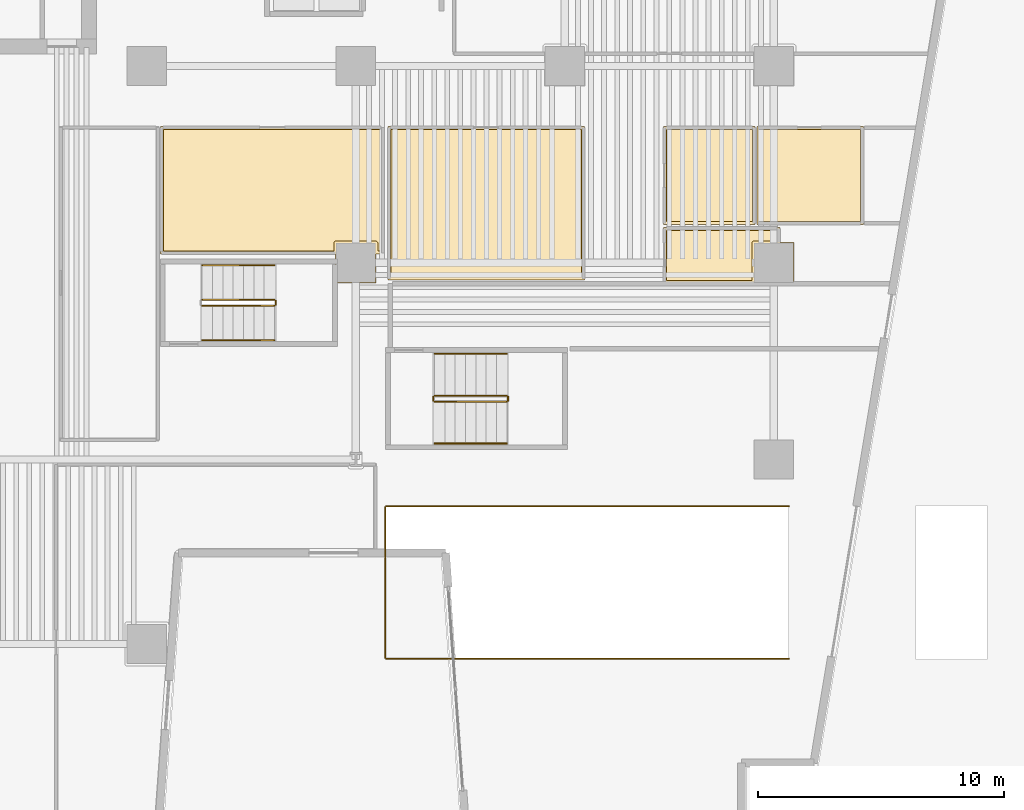
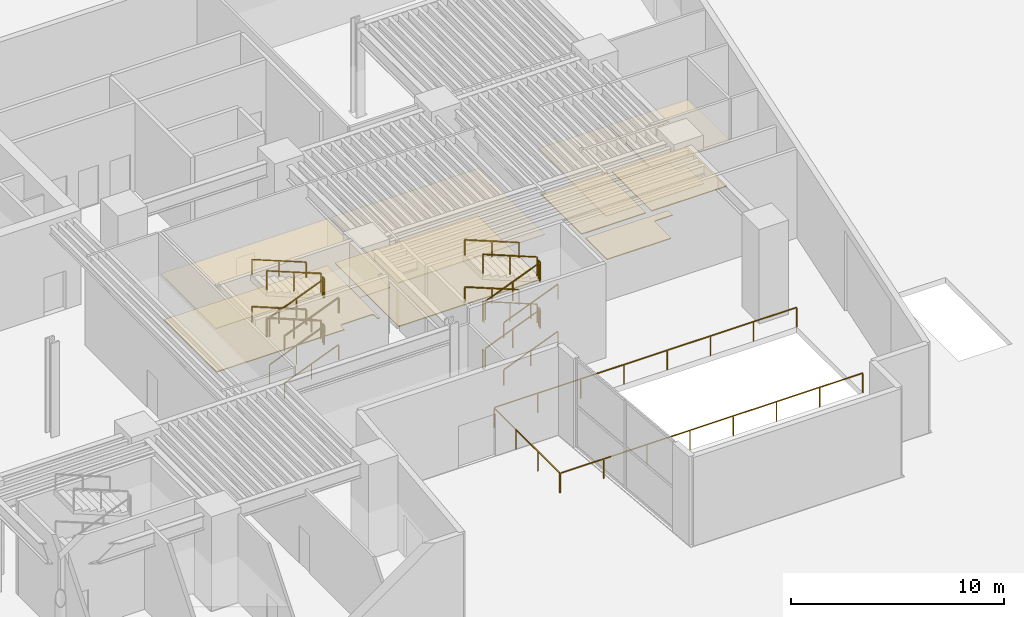
# One storey, part 15 of 18: 25 railings, 10 coverings.
"""IFC4 building model written with IfcOpenShell, lengths in metres."""

from ifc_helpers import new_model, si_unit, direction, frame, origin, origin_2d, place, context, subcontext, project, spatial, polyline, rectangle, outline, extrude, material, layer, layer_set, type_object, element, save


model = new_model("IFC4")

# Units and contexts
model_context = context("Model", 3, precision=1e-05, world=origin(), true_north=direction((0.0, 1.0)))
body_context = subcontext(model_context, "Body", "Model", "MODEL_VIEW")
ifc_project = project(units=[si_unit("LENGTHUNIT", "METRE"), si_unit("AREAUNIT", "SQUARE_METRE"), si_unit("VOLUMEUNIT", "CUBIC_METRE"), si_unit("PLANEANGLEUNIT", "RADIAN"), si_unit("MASSUNIT", "GRAM", prefix="KILO")], contexts=[model_context])

# Site, building, storey
site_placement = place(None, origin())
site = spatial("IfcSite", under=ifc_project, at=site_placement, CompositionType="ELEMENT")
building_placement = place(site_placement, origin())
building = spatial("IfcBuilding", under=site, at=building_placement, Name="Caeloran Harvest Quay", CompositionType="ELEMENT")
storey_placement = place(building_placement, origin())
storey = spatial("IfcBuildingStorey", under=building, at=storey_placement, Name="L01", CompositionType="ELEMENT", Elevation=0.0)

# Coverings
ifc_material_1 = material(Name="Perforated Mineral-Fibre Acoustic Ceiling Tile", Category="ceiling")
ifc_layer_1 = layer(ifc_material_1, 0.0400390625, Name="Perforated Mineral-Fibre Acoustic Ceiling Tile")
ifc_layer_set_1 = layer_set([ifc_layer_1], Name="Perforated Mineral-Fibre Acoustic Ceiling Tile")
covering_type_1 = type_object("IfcCoveringType", Name="COV-CEILING-ACOUSTIC", PredefinedType="CEILING", material=ifc_layer_set_1)
covering_1_placement = place(storey_placement, frame((0.0, 0.0, 2.60009765625)))
element("IfcCovering", 1, at=covering_1_placement, inside=storey, type_object=covering_type_1, Name="Cold-Chain Harvest Sorting and Packhouse Hall Acoustic Ceiling", PredefinedType="CEILING", context=body_context, shape_type="SweptSolid", body=[
    extrude(outline(polyline([(34.820068359375, 22.179931640625), (33.179931640625, 22.179931640625), (33.179931640625, 23.360107421875), (26.06005859375, 23.360107421875), (26.06005859375, 28.5400390625), (35.139892578125, 28.5400390625), (35.139892578125, 23.360107421875), (34.820068359375, 23.360107421875), (34.820068359375, 22.179931640625)])), origin(), (0.0, 0.0, 1.0), 0.039794921875),
])
covering_2_placement = place(storey_placement, frame((0.0, 0.0, 2.60009765625)))
element("IfcCovering", 2, at=covering_2_placement, inside=storey, type_object=covering_type_1, Name="Walk-In Blast Freezer Store (-20 C) Acoustic Ceiling", PredefinedType="CEILING", context=body_context, shape_type="SweptSolid", body=[
    extrude(outline(polyline([(43.2900390625, 28.5400390625), (43.2900390625, 22.31005859375), (35.31005859375, 22.31005859375), (35.31005859375, 28.5400390625), (43.2900390625, 28.5400390625)])), origin(), (0.0, 0.0, 1.0), 0.039794921875),
])
covering_3_placement = place(storey_placement, frame((0.0, 0.0, 2.60009765625)))
element("IfcCovering", 3, at=covering_3_placement, inside=storey, type_object=covering_type_1, Name="L01 Public Male Washroom WC Acoustic Ceiling", PredefinedType="CEILING", context=body_context, shape_type="SweptSolid", body=[
    extrude(outline(polyline([(51.820068359375, 23.820068359375), (51.820068359375, 22.179931640625), (46.510009765625, 22.169921875), (46.510009765625, 24.43994140625), (51.239990234375, 24.43994140625), (51.239990234375, 23.820068359375), (51.820068359375, 23.820068359375)])), origin(), (0.0, 0.0, 1.0), 0.039794921875),
])
covering_4_placement = place(storey_placement, frame((0.0, 0.0, 2.60009765625)))
element("IfcCovering", 4, at=covering_4_placement, inside=storey, type_object=covering_type_1, Name="L01 Accessible Unisex Washroom WC Acoustic Ceiling", PredefinedType="CEILING", context=body_context, shape_type="SweptSolid", body=[
    extrude(outline(polyline([(50.239990234375, 28.5400390625), (50.239990234375, 24.56005859375), (46.510009765625, 24.56005859375), (46.510009765625, 28.5400390625), (50.239990234375, 28.5400390625)])), origin(), (0.0, 0.0, 1.0), 0.039794921875),
])
covering_5_placement = place(storey_placement, frame((0.0, 0.0, 2.60009765625)))
element("IfcCovering", 5, at=covering_5_placement, inside=storey, type_object=covering_type_1, Name="L01 Public Female Washroom WC Acoustic Ceiling", PredefinedType="CEILING", context=body_context, shape_type="SweptSolid", body=[
    extrude(outline(polyline([(54.639892578125, 28.5400390625), (54.639892578125, 24.56005859375), (50.31005859375, 24.56005859375), (50.31005859375, 28.5400390625), (54.639892578125, 28.5400390625)])), origin(), (0.0, 0.0, 1.0), 0.039794921875),
])
ifc_material_2 = material(Name="Calcium-Sulphate Raised Access Floor and Terrazzo Finish", Category="flooring")
ifc_layer_2 = layer(ifc_material_2, 0.050048828125, Name="Calcium-Sulphate Raised Access Floor and Terrazzo Finish")
ifc_layer_set_2 = layer_set([ifc_layer_2], Name="Calcium-Sulphate Raised Access Floor and Terrazzo Finish")
covering_type_2 = type_object("IfcCoveringType", Name="COV-FLOOR-RAISED", PredefinedType="FLOORING", material=ifc_layer_set_2)
covering_6_placement = place(storey_placement, origin())
element("IfcCovering", 6, at=covering_6_placement, inside=storey, type_object=covering_type_2, Name="Cold-Chain Harvest Sorting and Packhouse Hall Raised Finish Flooring", PredefinedType="FLOORING", context=body_context, shape_type="SweptSolid", body=[
    extrude(outline(polyline([(35.02001953125, 28.419921875), (35.02001953125, 23.47998046875), (34.89501953125, 23.47998046875), (34.8935546875, 23.83056640625), (34.81494140625, 23.89501953125), (33.16943359375, 23.8935546875), (33.1064453125, 23.83056640625), (33.10498046875, 23.47998046875), (26.179931640625, 23.47998046875), (26.179931640625, 28.419921875), (35.02001953125, 28.419921875)])), origin(), (0.0, 0.0, 1.0), 0.050048828125),
])
covering_7_placement = place(storey_placement, origin())
element("IfcCovering", 7, at=covering_7_placement, inside=storey, type_object=covering_type_2, Name="Walk-In Blast Freezer Store (-20 C) Raised Finish Flooring", PredefinedType="FLOORING", context=body_context, shape_type="SweptSolid", body=[
    extrude(outline(polyline([(43.169921875, 28.419921875), (43.169921875, 22.429931640625), (35.429931640625, 22.429931640625), (35.429931640625, 28.419921875), (43.169921875, 28.419921875)])), origin(), (0.0, 0.0, 1.0), 0.050048828125),
])
covering_8_placement = place(storey_placement, origin())
element("IfcCovering", 8, at=covering_8_placement, inside=storey, type_object=covering_type_2, Name="L01 Public Male Washroom WC Raised Finish Flooring", PredefinedType="FLOORING", context=body_context, shape_type="SweptSolid", body=[
    extrude(outline(polyline([(51.1201171875, 24.320068359375), (51.1201171875, 23.89501953125), (50.18505859375, 23.89501953125), (50.114501953125, 23.852783203125), (50.10498046875, 22.2900390625), (46.6298828125, 22.2900390625), (46.6298828125, 24.320068359375), (51.1201171875, 24.320068359375)])), origin(), (0.0, 0.0, 1.0), 0.050048828125),
])
covering_9_placement = place(storey_placement, origin())
element("IfcCovering", 9, at=covering_9_placement, inside=storey, type_object=covering_type_2, Name="L01 Accessible Unisex Washroom WC Raised Finish Flooring", PredefinedType="FLOORING", context=body_context, shape_type="SweptSolid", body=[
    extrude(outline(polyline([(50.1201171875, 28.419921875), (50.1201171875, 24.679931640625), (46.6298828125, 24.679931640625), (46.6298828125, 28.419921875), (50.1201171875, 28.419921875)])), origin(), (0.0, 0.0, 1.0), 0.050048828125),
])
covering_10_placement = place(storey_placement, origin())
element("IfcCovering", 10, at=covering_10_placement, inside=storey, type_object=covering_type_2, Name="L01 Public Female Washroom WC Raised Finish Flooring", PredefinedType="FLOORING", context=body_context, shape_type="SweptSolid", body=[
    extrude(outline(polyline([(54.52001953125, 28.419921875), (54.52001953125, 24.679931640625), (50.429931640625, 24.679931640625), (50.429931640625, 28.419921875), (54.52001953125, 28.419921875)])), origin(), (0.0, 0.0, 1.0), 0.050048828125),
])

# Railings
ifc_material_3 = material(Name="Powder-Coated Steel Post and Laminated Glass Guardrail", Category="steel")
ifc_layer_3 = layer(ifc_material_3, 0.06005859375, Name="Powder-Coated Steel Post and Laminated Glass Guardrail")
ifc_layer_set_3 = layer_set([ifc_layer_3], Name="Powder-Coated Steel Post and Laminated Glass Guardrail")
railing_type_1 = type_object("IfcRailingType", Name="GUARD-ATRIUM-1150", PredefinedType="GUARDRAIL", material=ifc_layer_set_3)
railing_1_placement = place(storey_placement, frame((51.60009765625, 6.89990234375, 0.0)))
element("IfcRailing", 11, at=railing_1_placement, inside=storey, type_object=railing_type_1, Name="L01 Vehicle Ramp Opening Perimeter Guard Seg 1", PredefinedType="GUARDRAIL", context=body_context, shape_type="SweptSolid", body=[
    extrude(rectangle(XDim=0.048095703125, YDim=0.048095703125, at=origin_2d()), frame((0.0, 0.0, 1.1259765625), z_axis=(-1.0, 0.0, 0.0), x_axis=(0.0, -1.0, 0.0)), (0.0, 0.0, 1.0), 16.3681640625),
    extrude(rectangle(XDim=0.0419921875, YDim=0.0419921875, at=origin_2d()), origin(), (0.0, 0.0, 1.0), 1.101806640625),
    extrude(rectangle(XDim=0.0419921875, YDim=0.0419921875, at=origin_2d()), frame((-2.33837890625, 0.0, 0.0)), (0.0, 0.0, 1.0), 1.101806640625),
    extrude(rectangle(XDim=0.0419921875, YDim=0.0419921875, at=origin_2d()), frame((-4.676513671875, 0.0, 0.0)), (0.0, 0.0, 1.0), 1.101806640625),
    extrude(rectangle(XDim=0.0419921875, YDim=0.0419921875, at=origin_2d()), frame((-7.014892578125, 0.0, 0.0)), (0.0, 0.0, 1.0), 1.101806640625),
    extrude(rectangle(XDim=0.0419921875, YDim=0.0419921875, at=origin_2d()), frame((-9.353271484375, 0.0, 0.0)), (0.0, 0.0, 1.0), 1.101806640625),
    extrude(rectangle(XDim=0.0419921875, YDim=0.0419921875, at=origin_2d()), frame((-11.691650390625, 0.0, 0.0)), (0.0, 0.0, 1.0), 1.101806640625),
    extrude(rectangle(XDim=0.0419921875, YDim=0.0419921875, at=origin_2d()), frame((-14.02978515625, 0.0, 0.0)), (0.0, 0.0, 1.0), 1.101806640625),
    extrude(rectangle(XDim=0.0419921875, YDim=0.0419921875, at=origin_2d()), frame((-16.3681640625, 0.0, 0.0)), (0.0, 0.0, 1.0), 1.101806640625),
])
railing_2_placement = place(storey_placement, frame((35.199951171875, 6.931884765625, 0.0)))
element("IfcRailing", 12, at=railing_2_placement, inside=storey, type_object=railing_type_1, Name="L01 Vehicle Ramp Opening Perimeter Guard Seg 2", PredefinedType="GUARDRAIL", context=body_context, shape_type="SweptSolid", body=[
    extrude(rectangle(XDim=0.048095703125, YDim=0.048095703125, at=origin_2d()), frame((0.0, 0.0, 1.1259765625), z_axis=(0.0, 1.0, 0.0), x_axis=(-1.0, 0.0, 0.0)), (0.0, 0.0, 1.0), 6.13623046875),
    extrude(rectangle(XDim=0.0419921875, YDim=0.0419921875, at=origin_2d()), origin(), (0.0, 0.0, 1.0), 1.101806640625),
    extrude(rectangle(XDim=0.0419921875, YDim=0.0419921875, at=origin_2d()), frame((0.0, 2.04541015625, 0.0)), (0.0, 0.0, 1.0), 1.101806640625),
    extrude(rectangle(XDim=0.0419921875, YDim=0.0419921875, at=origin_2d()), frame((0.0, 4.0908203125, 0.0)), (0.0, 0.0, 1.0), 1.101806640625),
    extrude(rectangle(XDim=0.0419921875, YDim=0.0419921875, at=origin_2d()), frame((0.0, 6.13623046875, 0.0)), (0.0, 0.0, 1.0), 1.101806640625),
])
railing_3_placement = place(storey_placement, frame((35.23193359375, 13.10009765625, 0.0)))
element("IfcRailing", 13, at=railing_3_placement, inside=storey, type_object=railing_type_1, Name="L01 Vehicle Ramp Opening Perimeter Guard Seg 3", PredefinedType="GUARDRAIL", context=body_context, shape_type="SweptSolid", body=[
    extrude(rectangle(XDim=0.048095703125, YDim=0.048095703125, at=origin_2d()), frame((0.0, 0.0, 1.1259765625), z_axis=(1.0, 0.0, 0.0), x_axis=(0.0, 1.0, 0.0)), (0.0, 0.0, 1.0), 16.3681640625),
    extrude(rectangle(XDim=0.0419921875, YDim=0.0419921875, at=origin_2d()), origin(), (0.0, 0.0, 1.0), 1.101806640625),
    extrude(rectangle(XDim=0.0419921875, YDim=0.0419921875, at=origin_2d()), frame((2.33837890625, 0.0, 0.0)), (0.0, 0.0, 1.0), 1.101806640625),
    extrude(rectangle(XDim=0.0419921875, YDim=0.0419921875, at=origin_2d()), frame((4.676513671875, 0.0, 0.0)), (0.0, 0.0, 1.0), 1.101806640625),
    extrude(rectangle(XDim=0.0419921875, YDim=0.0419921875, at=origin_2d()), frame((7.014892578125, 0.0, 0.0)), (0.0, 0.0, 1.0), 1.101806640625),
    extrude(rectangle(XDim=0.0419921875, YDim=0.0419921875, at=origin_2d()), frame((9.353271484375, 0.0, 0.0)), (0.0, 0.0, 1.0), 1.101806640625),
    extrude(rectangle(XDim=0.0419921875, YDim=0.0419921875, at=origin_2d()), frame((11.691650390625, 0.0, 0.0)), (0.0, 0.0, 1.0), 1.101806640625),
    extrude(rectangle(XDim=0.0419921875, YDim=0.0419921875, at=origin_2d()), frame((14.02978515625, 0.0, 0.0)), (0.0, 0.0, 1.0), 1.101806640625),
    extrude(rectangle(XDim=0.0419921875, YDim=0.0419921875, at=origin_2d()), frame((16.3681640625, 0.0, 0.0)), (0.0, 0.0, 1.0), 1.101806640625),
])
ifc_material_4 = material(Name="Painted Steel Baluster and Top-Rail Stair Guard", Category="steel")
ifc_layer_4 = layer(ifc_material_4, 0.050048828125, Name="Painted Steel Baluster and Top-Rail Stair Guard")
ifc_layer_set_4 = layer_set([ifc_layer_4], Name="Painted Steel Baluster and Top-Rail Stair Guard")
railing_type_2 = type_object("IfcRailingType", Name="STAIR-GUARD-1100", PredefinedType="GUARDRAIL", material=ifc_layer_set_4)
railing_4_placement = place(storey_placement, frame((27.75, 21.25, 0.168701171875)))
element("IfcRailing", 14, at=railing_4_placement, inside=storey, type_object=railing_type_2, Name="L01 ST-W1 stair guard 1", PredefinedType="GUARDRAIL", context=body_context, shape_type="SweptSolid", body=[
    extrude(rectangle(XDim=0.048095703125, YDim=0.048095703125, at=origin_2d()), frame((0.0, 0.0, 1.076171875), z_axis=(0.927885657282, 0.0, 0.372864864274), x_axis=(0.0, 1.0, 0.0)), (0.0, 0.0, 1.0), 3.16845703125),
    extrude(rectangle(XDim=0.0419921875, YDim=0.0419921875, at=origin_2d()), origin(), (0.0, 0.0, 1.0), 1.052001953125),
    extrude(rectangle(XDim=0.0419921875, YDim=0.0419921875, at=origin_2d()), frame((1.469970703125, 0.0, 0.5908203125)), (0.0, 0.0, 1.0), 1.052001953125),
    extrude(rectangle(XDim=0.0419921875, YDim=0.0419921875, at=origin_2d()), frame((2.93994140625, 0.0, 1.181396484375)), (0.0, 0.0, 1.0), 1.052001953125),
])
railing_5_placement = place(storey_placement, frame((30.739990234375, 21.300048828125, 1.35009765625)))
element("IfcRailing", 15, at=railing_5_placement, inside=storey, type_object=railing_type_2, Name="L01 ST-W1 stair guard 2", PredefinedType="GUARDRAIL", context=body_context, shape_type="SweptSolid", body=[
    extrude(rectangle(XDim=0.048095703125, YDim=0.048095703125, at=origin_2d()), frame((0.0, 0.0, 1.076171875), z_axis=(0.0, 1.0, 0.0), x_axis=(-1.0, 0.0, 0.0)), (0.0, 0.0, 1.0), 0.14990234375),
    extrude(rectangle(XDim=0.0419921875, YDim=0.0419921875, at=origin_2d()), origin(), (0.0, 0.0, 1.0), 1.052001953125),
    extrude(rectangle(XDim=0.0419921875, YDim=0.0419921875, at=origin_2d()), frame((0.0, 0.14990234375, 0.0)), (0.0, 0.0, 1.0), 1.052001953125),
])
railing_6_placement = place(storey_placement, frame((30.68994140625, 21.5, 1.518798828125)))
element("IfcRailing", 16, at=railing_6_placement, inside=storey, type_object=railing_type_2, Name="L01 ST-W1 stair guard 3", PredefinedType="GUARDRAIL", context=body_context, shape_type="SweptSolid", body=[
    extrude(rectangle(XDim=0.048095703125, YDim=0.048095703125, at=origin_2d()), frame((0.0, 0.0, 1.076171875), z_axis=(-0.927912314548, 0.0, 0.372798519995), x_axis=(0.0, -1.0, 0.0)), (0.0, 0.0, 1.0), 3.16845703125),
    extrude(rectangle(XDim=0.0419921875, YDim=0.0419921875, at=origin_2d()), origin(), (0.0, 0.0, 1.0), 1.052001953125),
    extrude(rectangle(XDim=0.0419921875, YDim=0.0419921875, at=origin_2d()), frame((-1.469970703125, 0.0, 0.590576171875)), (0.0, 0.0, 1.0), 1.052001953125),
    extrude(rectangle(XDim=0.0419921875, YDim=0.0419921875, at=origin_2d()), frame((-2.93994140625, 0.0, 1.18115234375)), (0.0, 0.0, 1.0), 1.052001953125),
])
railing_7_placement = place(storey_placement, frame((27.75, 21.25, 2.86865234375)))
element("IfcRailing", 17, at=railing_7_placement, inside=storey, type_object=railing_type_2, Name="L01 ST-W1 stair guard 5", PredefinedType="GUARDRAIL", context=body_context, shape_type="SweptSolid", body=[
    extrude(rectangle(XDim=0.048095703125, YDim=0.048095703125, at=origin_2d()), frame((0.0, 0.0, 1.076171875), z_axis=(0.927885657282, 0.0, 0.372864864274), x_axis=(0.0, 1.0, 0.0)), (0.0, 0.0, 1.0), 3.16845703125),
    extrude(rectangle(XDim=0.0419921875, YDim=0.0419921875, at=origin_2d()), origin(), (0.0, 0.0, 1.0), 1.052001953125),
    extrude(rectangle(XDim=0.0419921875, YDim=0.0419921875, at=origin_2d()), frame((1.469970703125, 0.0, 0.5908203125)), (0.0, 0.0, 1.0), 1.052001953125),
    extrude(rectangle(XDim=0.0419921875, YDim=0.0419921875, at=origin_2d()), frame((2.93994140625, 0.0, 1.181396484375)), (0.0, 0.0, 1.0), 1.052001953125),
])
railing_8_placement = place(storey_placement, frame((30.739990234375, 21.300048828125, 4.050048828125)))
element("IfcRailing", 18, at=railing_8_placement, inside=storey, type_object=railing_type_2, Name="L01 ST-W1 stair guard 6", PredefinedType="GUARDRAIL", context=body_context, shape_type="SweptSolid", body=[
    extrude(rectangle(XDim=0.048095703125, YDim=0.048095703125, at=origin_2d()), frame((0.0, 0.0, 1.076171875), z_axis=(0.0, 1.0, 0.0), x_axis=(-1.0, 0.0, 0.0)), (0.0, 0.0, 1.0), 0.14990234375),
    extrude(rectangle(XDim=0.0419921875, YDim=0.0419921875, at=origin_2d()), origin(), (0.0, 0.0, 1.0), 1.052001953125),
    extrude(rectangle(XDim=0.0419921875, YDim=0.0419921875, at=origin_2d()), frame((0.0, 0.14990234375, 0.0)), (0.0, 0.0, 1.0), 1.052001953125),
])
railing_9_placement = place(storey_placement, frame((30.68994140625, 21.5, 4.21875)))
element("IfcRailing", 19, at=railing_9_placement, inside=storey, type_object=railing_type_2, Name="L01 ST-W1 stair guard 7", PredefinedType="GUARDRAIL", context=body_context, shape_type="SweptSolid", body=[
    extrude(rectangle(XDim=0.048095703125, YDim=0.048095703125, at=origin_2d()), frame((0.0, 0.0, 1.076171875), z_axis=(-0.927912314548, 0.0, 0.372798519995), x_axis=(0.0, -1.0, 0.0)), (0.0, 0.0, 1.0), 3.16845703125),
    extrude(rectangle(XDim=0.0419921875, YDim=0.0419921875, at=origin_2d()), origin(), (0.0, 0.0, 1.0), 1.052001953125),
    extrude(rectangle(XDim=0.0419921875, YDim=0.0419921875, at=origin_2d()), frame((-1.469970703125, 0.0, 0.590576171875)), (0.0, 0.0, 1.0), 1.052001953125),
    extrude(rectangle(XDim=0.0419921875, YDim=0.0419921875, at=origin_2d()), frame((-2.93994140625, 0.0, 1.18115234375)), (0.0, 0.0, 1.0), 1.052001953125),
])
railing_10_placement = place(storey_placement, frame((37.199951171875, 17.35009765625, 0.168701171875)))
element("IfcRailing", 20, at=railing_10_placement, inside=storey, type_object=railing_type_2, Name="L01 ST-P2 stair guard 1", PredefinedType="GUARDRAIL", context=body_context, shape_type="SweptSolid", body=[
    extrude(rectangle(XDim=0.048095703125, YDim=0.048095703125, at=origin_2d()), frame((0.0, 0.0, 1.076171875), z_axis=(0.927885657282, 0.0, 0.372864864274), x_axis=(0.0, 1.0, 0.0)), (0.0, 0.0, 1.0), 3.16845703125),
    extrude(rectangle(XDim=0.0419921875, YDim=0.0419921875, at=origin_2d()), origin(), (0.0, 0.0, 1.0), 1.052001953125),
    extrude(rectangle(XDim=0.0419921875, YDim=0.0419921875, at=origin_2d()), frame((1.469970703125, 0.0, 0.5908203125)), (0.0, 0.0, 1.0), 1.052001953125),
    extrude(rectangle(XDim=0.0419921875, YDim=0.0419921875, at=origin_2d()), frame((2.93994140625, 0.0, 1.181396484375)), (0.0, 0.0, 1.0), 1.052001953125),
])
railing_11_placement = place(storey_placement, frame((40.18994140625, 17.39990234375, 1.35009765625)))
element("IfcRailing", 21, at=railing_11_placement, inside=storey, type_object=railing_type_2, Name="L01 ST-P2 stair guard 2", PredefinedType="GUARDRAIL", context=body_context, shape_type="SweptSolid", body=[
    extrude(rectangle(XDim=0.048095703125, YDim=0.048095703125, at=origin_2d()), frame((0.0, 0.0, 1.076171875), z_axis=(0.0, 1.0, 0.0), x_axis=(-1.0, 0.0, 0.0)), (0.0, 0.0, 1.0), 0.150146484375),
    extrude(rectangle(XDim=0.0419921875, YDim=0.0419921875, at=origin_2d()), origin(), (0.0, 0.0, 1.0), 1.052001953125),
    extrude(rectangle(XDim=0.0419921875, YDim=0.0419921875, at=origin_2d()), frame((0.0, 0.150146484375, 0.0)), (0.0, 0.0, 1.0), 1.052001953125),
])
railing_12_placement = place(storey_placement, frame((40.139892578125, 17.60009765625, 1.518798828125)))
element("IfcRailing", 22, at=railing_12_placement, inside=storey, type_object=railing_type_2, Name="L01 ST-P2 stair guard 3", PredefinedType="GUARDRAIL", context=body_context, shape_type="SweptSolid", body=[
    extrude(rectangle(XDim=0.048095703125, YDim=0.048095703125, at=origin_2d()), frame((0.0, 0.0, 1.076171875), z_axis=(-0.927912314548, 0.0, 0.372798519995), x_axis=(0.0, -1.0, 0.0)), (0.0, 0.0, 1.0), 3.16845703125),
    extrude(rectangle(XDim=0.0419921875, YDim=0.0419921875, at=origin_2d()), origin(), (0.0, 0.0, 1.0), 1.052001953125),
    extrude(rectangle(XDim=0.0419921875, YDim=0.0419921875, at=origin_2d()), frame((-1.469970703125, 0.0, 0.590576171875)), (0.0, 0.0, 1.0), 1.052001953125),
    extrude(rectangle(XDim=0.0419921875, YDim=0.0419921875, at=origin_2d()), frame((-2.93994140625, 0.0, 1.18115234375)), (0.0, 0.0, 1.0), 1.052001953125),
])
railing_13_placement = place(storey_placement, frame((37.14990234375, 17.39990234375, 2.699951171875)))
element("IfcRailing", 23, at=railing_13_placement, inside=storey, type_object=railing_type_2, Name="L01 ST-P2 stair guard 4", PredefinedType="GUARDRAIL", context=body_context, shape_type="SweptSolid", body=[
    extrude(rectangle(XDim=0.048095703125, YDim=0.048095703125, at=origin_2d()), frame((0.0, 0.0, 1.076171875), z_axis=(0.0, 1.0, 0.0), x_axis=(-1.0, 0.0, 0.0)), (0.0, 0.0, 1.0), 0.150146484375),
    extrude(rectangle(XDim=0.0419921875, YDim=0.0419921875, at=origin_2d()), origin(), (0.0, 0.0, 1.0), 1.052001953125),
    extrude(rectangle(XDim=0.0419921875, YDim=0.0419921875, at=origin_2d()), frame((0.0, 0.150146484375, 0.0)), (0.0, 0.0, 1.0), 1.052001953125),
])
railing_14_placement = place(storey_placement, frame((37.199951171875, 17.35009765625, 2.86865234375)))
element("IfcRailing", 24, at=railing_14_placement, inside=storey, type_object=railing_type_2, Name="L01 ST-P2 stair guard 5", PredefinedType="GUARDRAIL", context=body_context, shape_type="SweptSolid", body=[
    extrude(rectangle(XDim=0.048095703125, YDim=0.048095703125, at=origin_2d()), frame((0.0, 0.0, 1.076171875), z_axis=(0.927885657282, 0.0, 0.372864864274), x_axis=(0.0, 1.0, 0.0)), (0.0, 0.0, 1.0), 3.16845703125),
    extrude(rectangle(XDim=0.0419921875, YDim=0.0419921875, at=origin_2d()), origin(), (0.0, 0.0, 1.0), 1.052001953125),
    extrude(rectangle(XDim=0.0419921875, YDim=0.0419921875, at=origin_2d()), frame((1.469970703125, 0.0, 0.5908203125)), (0.0, 0.0, 1.0), 1.052001953125),
    extrude(rectangle(XDim=0.0419921875, YDim=0.0419921875, at=origin_2d()), frame((2.93994140625, 0.0, 1.181396484375)), (0.0, 0.0, 1.0), 1.052001953125),
])
railing_15_placement = place(storey_placement, frame((40.18994140625, 17.39990234375, 4.050048828125)))
element("IfcRailing", 25, at=railing_15_placement, inside=storey, type_object=railing_type_2, Name="L01 ST-P2 stair guard 6", PredefinedType="GUARDRAIL", context=body_context, shape_type="SweptSolid", body=[
    extrude(rectangle(XDim=0.048095703125, YDim=0.048095703125, at=origin_2d()), frame((0.0, 0.0, 1.076171875), z_axis=(0.0, 1.0, 0.0), x_axis=(-1.0, 0.0, 0.0)), (0.0, 0.0, 1.0), 0.150146484375),
    extrude(rectangle(XDim=0.0419921875, YDim=0.0419921875, at=origin_2d()), origin(), (0.0, 0.0, 1.0), 1.052001953125),
    extrude(rectangle(XDim=0.0419921875, YDim=0.0419921875, at=origin_2d()), frame((0.0, 0.150146484375, 0.0)), (0.0, 0.0, 1.0), 1.052001953125),
])
railing_16_placement = place(storey_placement, frame((40.139892578125, 17.60009765625, 4.21875)))
element("IfcRailing", 26, at=railing_16_placement, inside=storey, type_object=railing_type_2, Name="L01 ST-P2 stair guard 7", PredefinedType="GUARDRAIL", context=body_context, shape_type="SweptSolid", body=[
    extrude(rectangle(XDim=0.048095703125, YDim=0.048095703125, at=origin_2d()), frame((0.0, 0.0, 1.076171875), z_axis=(-0.927912314548, 0.0, 0.372798519995), x_axis=(0.0, -1.0, 0.0)), (0.0, 0.0, 1.0), 3.16845703125),
    extrude(rectangle(XDim=0.0419921875, YDim=0.0419921875, at=origin_2d()), origin(), (0.0, 0.0, 1.0), 1.052001953125),
    extrude(rectangle(XDim=0.0419921875, YDim=0.0419921875, at=origin_2d()), frame((-1.469970703125, 0.0, 0.590576171875)), (0.0, 0.0, 1.0), 1.052001953125),
    extrude(rectangle(XDim=0.0419921875, YDim=0.0419921875, at=origin_2d()), frame((-2.93994140625, 0.0, 1.18115234375)), (0.0, 0.0, 1.0), 1.052001953125),
])
railing_17_placement = place(storey_placement, frame((37.14990234375, 17.39990234375, 0.0)))
element("IfcRailing", 27, at=railing_17_placement, inside=storey, type_object=railing_type_2, Name="L01 ST-P2 stair guard 8", PredefinedType="GUARDRAIL", context=body_context, shape_type="SweptSolid", body=[
    extrude(rectangle(XDim=0.048095703125, YDim=0.048095703125, at=origin_2d()), frame((0.0, 0.0, 1.076171875), z_axis=(0.0, 1.0, 0.0), x_axis=(-1.0, 0.0, 0.0)), (0.0, 0.0, 1.0), 0.150146484375),
    extrude(rectangle(XDim=0.0419921875, YDim=0.0419921875, at=origin_2d()), origin(), (0.0, 0.0, 1.0), 1.052001953125),
    extrude(rectangle(XDim=0.0419921875, YDim=0.0419921875, at=origin_2d()), frame((0.0, 0.150146484375, 0.0)), (0.0, 0.0, 1.0), 1.052001953125),
])
ifc_material_5 = material(Name="Brushed Stainless Steel Grade 304", Category="steel")
ifc_layer_5 = layer(ifc_material_5, 0.050048828125, Name="Brushed Stainless Steel Grade 304")
ifc_layer_set_5 = layer_set([ifc_layer_5], Name="Brushed Stainless Steel Grade 304")
railing_type_3 = type_object("IfcRailingType", Name="STAIR-HANDRAIL-900", PredefinedType="HANDRAIL", material=ifc_layer_set_5)
railing_18_placement = place(storey_placement, frame((27.75, 19.85009765625, 0.168701171875)))
element("IfcRailing", 28, at=railing_18_placement, inside=storey, type_object=railing_type_3, Name="L01 ST-W1 stair handrail 1", PredefinedType="HANDRAIL", context=body_context, shape_type="SweptSolid", body=[
    extrude(rectangle(XDim=0.048095703125, YDim=0.048095703125, at=origin_2d()), frame((0.0, 0.0, 0.8759765625), z_axis=(0.927885657282, 0.0, 0.372864864274), x_axis=(0.0, 1.0, 0.0)), (0.0, 0.0, 1.0), 3.16845703125),
    extrude(rectangle(XDim=0.0419921875, YDim=0.0419921875, at=origin_2d()), origin(), (0.0, 0.0, 1.0), 0.851806640625),
    extrude(rectangle(XDim=0.0419921875, YDim=0.0419921875, at=origin_2d()), frame((1.469970703125, 0.0, 0.5908203125)), (0.0, 0.0, 1.0), 0.851806640625),
    extrude(rectangle(XDim=0.0419921875, YDim=0.0419921875, at=origin_2d()), frame((2.93994140625, 0.0, 1.181396484375)), (0.0, 0.0, 1.0), 0.851806640625),
])
railing_19_placement = place(storey_placement, frame((30.68994140625, 22.89990234375, 1.518798828125)))
element("IfcRailing", 29, at=railing_19_placement, inside=storey, type_object=railing_type_3, Name="L01 ST-W1 stair handrail 2", PredefinedType="HANDRAIL", context=body_context, shape_type="SweptSolid", body=[
    extrude(rectangle(XDim=0.048095703125, YDim=0.048095703125, at=origin_2d()), frame((0.0, 0.0, 0.8759765625), z_axis=(-0.927912314548, 0.0, 0.372798519995), x_axis=(0.0, -1.0, 0.0)), (0.0, 0.0, 1.0), 3.16845703125),
    extrude(rectangle(XDim=0.0419921875, YDim=0.0419921875, at=origin_2d()), origin(), (0.0, 0.0, 1.0), 0.851806640625),
    extrude(rectangle(XDim=0.0419921875, YDim=0.0419921875, at=origin_2d()), frame((-1.469970703125, 0.0, 0.590576171875)), (0.0, 0.0, 1.0), 0.851806640625),
    extrude(rectangle(XDim=0.0419921875, YDim=0.0419921875, at=origin_2d()), frame((-2.93994140625, 0.0, 1.18115234375)), (0.0, 0.0, 1.0), 0.851806640625),
])
railing_20_placement = place(storey_placement, frame((27.75, 19.85009765625, 2.86865234375)))
element("IfcRailing", 30, at=railing_20_placement, inside=storey, type_object=railing_type_3, Name="L01 ST-W1 stair handrail 3", PredefinedType="HANDRAIL", context=body_context, shape_type="SweptSolid", body=[
    extrude(rectangle(XDim=0.048095703125, YDim=0.048095703125, at=origin_2d()), frame((0.0, 0.0, 0.8759765625), z_axis=(0.927885657282, 0.0, 0.372864864274), x_axis=(0.0, 1.0, 0.0)), (0.0, 0.0, 1.0), 3.16845703125),
    extrude(rectangle(XDim=0.0419921875, YDim=0.0419921875, at=origin_2d()), origin(), (0.0, 0.0, 1.0), 0.851806640625),
    extrude(rectangle(XDim=0.0419921875, YDim=0.0419921875, at=origin_2d()), frame((1.469970703125, 0.0, 0.5908203125)), (0.0, 0.0, 1.0), 0.851806640625),
    extrude(rectangle(XDim=0.0419921875, YDim=0.0419921875, at=origin_2d()), frame((2.93994140625, 0.0, 1.181396484375)), (0.0, 0.0, 1.0), 0.851806640625),
])
railing_21_placement = place(storey_placement, frame((30.68994140625, 22.89990234375, 4.21875)))
element("IfcRailing", 31, at=railing_21_placement, inside=storey, type_object=railing_type_3, Name="L01 ST-W1 stair handrail 4", PredefinedType="HANDRAIL", context=body_context, shape_type="SweptSolid", body=[
    extrude(rectangle(XDim=0.048095703125, YDim=0.048095703125, at=origin_2d()), frame((0.0, 0.0, 0.8759765625), z_axis=(-0.927912314548, 0.0, 0.372798519995), x_axis=(0.0, -1.0, 0.0)), (0.0, 0.0, 1.0), 3.16845703125),
    extrude(rectangle(XDim=0.0419921875, YDim=0.0419921875, at=origin_2d()), origin(), (0.0, 0.0, 1.0), 0.851806640625),
    extrude(rectangle(XDim=0.0419921875, YDim=0.0419921875, at=origin_2d()), frame((-1.469970703125, 0.0, 0.590576171875)), (0.0, 0.0, 1.0), 0.851806640625),
    extrude(rectangle(XDim=0.0419921875, YDim=0.0419921875, at=origin_2d()), frame((-2.93994140625, 0.0, 1.18115234375)), (0.0, 0.0, 1.0), 0.851806640625),
])
railing_22_placement = place(storey_placement, frame((37.199951171875, 15.64990234375, 0.168701171875)))
element("IfcRailing", 32, at=railing_22_placement, inside=storey, type_object=railing_type_3, Name="L01 ST-P2 stair handrail 1", PredefinedType="HANDRAIL", context=body_context, shape_type="SweptSolid", body=[
    extrude(rectangle(XDim=0.048095703125, YDim=0.048095703125, at=origin_2d()), frame((0.0, 0.0, 0.8759765625), z_axis=(0.927885657282, 0.0, 0.372864864274), x_axis=(0.0, 1.0, 0.0)), (0.0, 0.0, 1.0), 3.16845703125),
    extrude(rectangle(XDim=0.0419921875, YDim=0.0419921875, at=origin_2d()), origin(), (0.0, 0.0, 1.0), 0.851806640625),
    extrude(rectangle(XDim=0.0419921875, YDim=0.0419921875, at=origin_2d()), frame((1.469970703125, 0.0, 0.5908203125)), (0.0, 0.0, 1.0), 0.851806640625),
    extrude(rectangle(XDim=0.0419921875, YDim=0.0419921875, at=origin_2d()), frame((2.93994140625, 0.0, 1.181396484375)), (0.0, 0.0, 1.0), 0.851806640625),
])
railing_23_placement = place(storey_placement, frame((40.139892578125, 19.300048828125, 1.518798828125)))
element("IfcRailing", 33, at=railing_23_placement, inside=storey, type_object=railing_type_3, Name="L01 ST-P2 stair handrail 2", PredefinedType="HANDRAIL", context=body_context, shape_type="SweptSolid", body=[
    extrude(rectangle(XDim=0.048095703125, YDim=0.048095703125, at=origin_2d()), frame((0.0, 0.0, 0.8759765625), z_axis=(-0.927912314548, 0.0, 0.372798519995), x_axis=(0.0, -1.0, 0.0)), (0.0, 0.0, 1.0), 3.16845703125),
    extrude(rectangle(XDim=0.0419921875, YDim=0.0419921875, at=origin_2d()), origin(), (0.0, 0.0, 1.0), 0.851806640625),
    extrude(rectangle(XDim=0.0419921875, YDim=0.0419921875, at=origin_2d()), frame((-1.469970703125, 0.0, 0.590576171875)), (0.0, 0.0, 1.0), 0.851806640625),
    extrude(rectangle(XDim=0.0419921875, YDim=0.0419921875, at=origin_2d()), frame((-2.93994140625, 0.0, 1.18115234375)), (0.0, 0.0, 1.0), 0.851806640625),
])
railing_24_placement = place(storey_placement, frame((37.199951171875, 15.64990234375, 2.86865234375)))
element("IfcRailing", 34, at=railing_24_placement, inside=storey, type_object=railing_type_3, Name="L01 ST-P2 stair handrail 3", PredefinedType="HANDRAIL", context=body_context, shape_type="SweptSolid", body=[
    extrude(rectangle(XDim=0.048095703125, YDim=0.048095703125, at=origin_2d()), frame((0.0, 0.0, 0.8759765625), z_axis=(0.927885657282, 0.0, 0.372864864274), x_axis=(0.0, 1.0, 0.0)), (0.0, 0.0, 1.0), 3.16845703125),
    extrude(rectangle(XDim=0.0419921875, YDim=0.0419921875, at=origin_2d()), origin(), (0.0, 0.0, 1.0), 0.851806640625),
    extrude(rectangle(XDim=0.0419921875, YDim=0.0419921875, at=origin_2d()), frame((1.469970703125, 0.0, 0.5908203125)), (0.0, 0.0, 1.0), 0.851806640625),
    extrude(rectangle(XDim=0.0419921875, YDim=0.0419921875, at=origin_2d()), frame((2.93994140625, 0.0, 1.181396484375)), (0.0, 0.0, 1.0), 0.851806640625),
])
railing_25_placement = place(storey_placement, frame((40.139892578125, 19.300048828125, 4.21875)))
element("IfcRailing", 35, at=railing_25_placement, inside=storey, type_object=railing_type_3, Name="L01 ST-P2 stair handrail 4", PredefinedType="HANDRAIL", context=body_context, shape_type="SweptSolid", body=[
    extrude(rectangle(XDim=0.048095703125, YDim=0.048095703125, at=origin_2d()), frame((0.0, 0.0, 0.8759765625), z_axis=(-0.927912314548, 0.0, 0.372798519995), x_axis=(0.0, -1.0, 0.0)), (0.0, 0.0, 1.0), 3.16845703125),
    extrude(rectangle(XDim=0.0419921875, YDim=0.0419921875, at=origin_2d()), origin(), (0.0, 0.0, 1.0), 0.851806640625),
    extrude(rectangle(XDim=0.0419921875, YDim=0.0419921875, at=origin_2d()), frame((-1.469970703125, 0.0, 0.590576171875)), (0.0, 0.0, 1.0), 0.851806640625),
    extrude(rectangle(XDim=0.0419921875, YDim=0.0419921875, at=origin_2d()), frame((-2.93994140625, 0.0, 1.18115234375)), (0.0, 0.0, 1.0), 0.851806640625),
])

save(model, "model.ifc")
